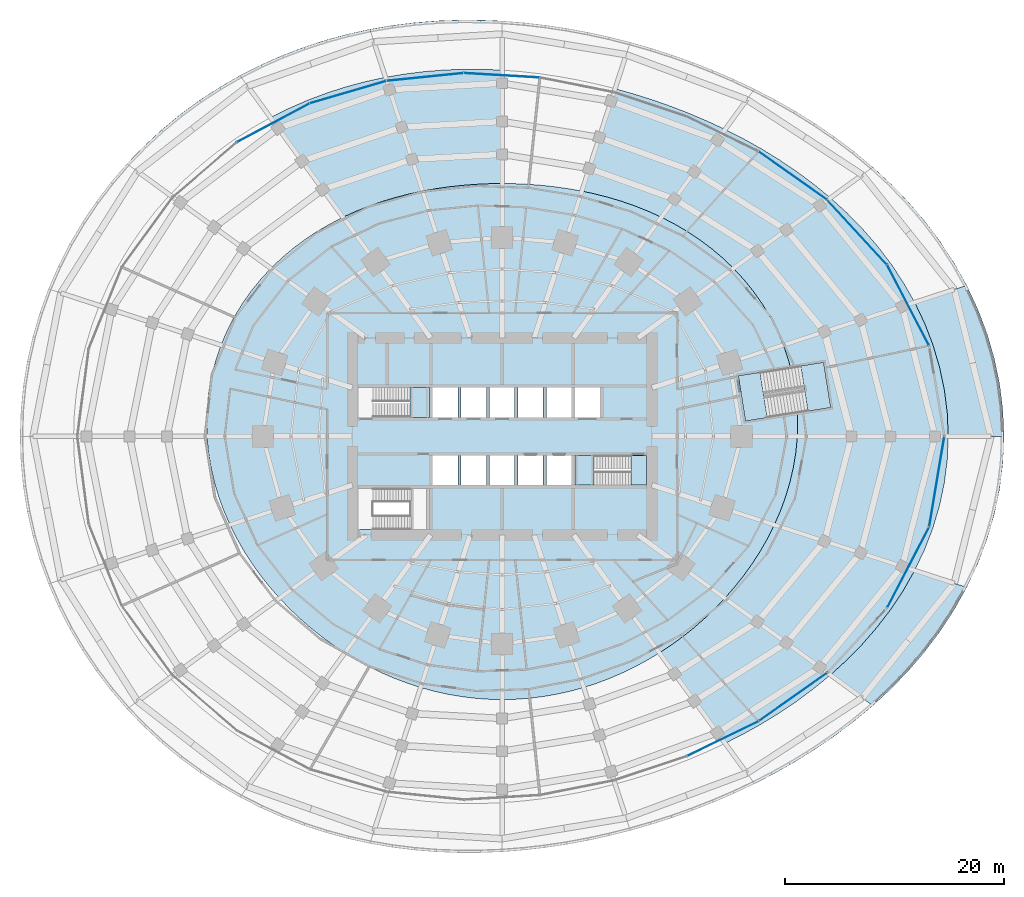
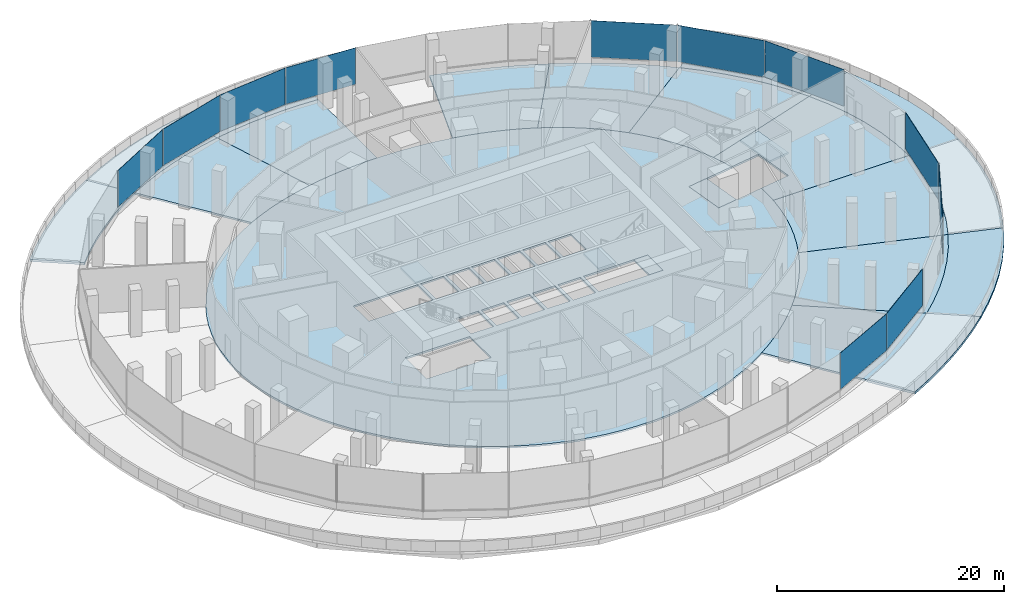
# One storey, part 20 of 31: 23 slabs, 11 plates, 8 elements without a shape of their own.
"""IFC4 building model written with IfcOpenShell, lengths in metres."""

from ifc_helpers import new_model, si_unit, direction, frame, origin, origin_2d, place, context, subcontext, project, spatial, polyline, rectangle, outline, extrude, material, layer, layer_set, type_object, element, aggregate, save


model = new_model("IFC4")

# Units and contexts
model_context = context("Model", 3, precision=1e-05, world=origin(), true_north=direction((0.0, 1.0)))
body_context = subcontext(model_context, "Body", "Model", "MODEL_VIEW")
ifc_project = project(units=[si_unit("LENGTHUNIT", "METRE"), si_unit("AREAUNIT", "SQUARE_METRE"), si_unit("VOLUMEUNIT", "CUBIC_METRE"), si_unit("PLANEANGLEUNIT", "RADIAN"), si_unit("MASSUNIT", "GRAM", prefix="KILO")], contexts=[model_context])

# Site, building, storey
site_placement = place(None, origin())
site = spatial("IfcSite", under=ifc_project, at=site_placement, CompositionType="ELEMENT")
building_placement = place(site_placement, origin())
building = spatial("IfcBuilding", under=site, at=building_placement, Name="Marramba Exchange Tower", CompositionType="ELEMENT")
storey_placement = place(building_placement, frame((0.0, 0.0, 5.60009765625)))
storey = spatial("IfcBuildingStorey", under=building, at=storey_placement, Name="L01", CompositionType="ELEMENT", Elevation=5.60009765625)

# Slabs
ifc_material_1 = material(Name="Concrete N40", Category="concrete")
ifc_layer_1 = layer(ifc_material_1, 0.199951171875)
ifc_layer_set_1 = layer_set([ifc_layer_1], Name="Floor slab 200")
slab_type_1 = type_object("IfcSlabType", Name="Floor slab 200", PredefinedType="FLOOR", material=ifc_layer_set_1)
slab_1_placement = place(storey_placement, frame((0.0, 0.0, -0.2001953125)))
element("IfcSlab", 1, at=slab_1_placement, inside=storey, type_object=slab_type_1, Name="Floor slab L01", PredefinedType="FLOOR", context=body_context, shape_type="SweptSolid", body=[
    extrude(outline(polyline([(27.003173828125, 2.150634765625), (27.035888671875, 1.4169921875), (27.0, 0.0), (26.8671875, -1.407958984375), (26.64111328125, -2.800048828125), (26.326171875, -4.169677734375), (25.927001953125, -5.510986328125), (25.44921875, -6.819091796875), (24.8984375, -8.090087890625), (24.280517578125, -9.320556640625), (23.60107421875, -10.5078125), (22.865234375, -11.650390625), (22.078369140625, -12.7470703125), (21.244873046875, -13.796630859375), (20.36865234375, -14.798583984375), (19.453369140625, -15.753173828125), (18.502197265625, -16.659423828125), (17.517578125, -17.517578125), (16.501953125, -18.327392578125), (15.457275390625, -19.088134765625), (14.385009765625, -19.799072265625), (13.286865234375, -20.459716796875), (12.164306640625, -21.069091796875), (11.01904296875, -21.6259765625), (9.8525390625, -22.129150390625), (8.66650390625, -22.577392578125), (7.463134765625, -22.968994140625), (6.244140625, -23.30322265625), (5.01171875, -23.578369140625), (3.7685546875, -23.793701171875), (2.51708984375, -23.947998046875), (1.260009765625, -24.041015625), (0.0, -24.072021484375), (-1.260009765625, -24.041015625), (-2.51708984375, -23.947998046875), (-3.7685546875, -23.793701171875), (-5.01171875, -23.578369140625), (-6.244140625, -23.30322265625), (-7.463134765625, -22.968994140625), (-8.66650390625, -22.577392578125), (-9.8525390625, -22.129150390625), (-11.01904296875, -21.6259765625), (-12.164306640625, -21.069091796875), (-13.286865234375, -20.459716796875), (-14.385009765625, -19.799072265625), (-15.457275390625, -19.088134765625), (-16.501953125, -18.327392578125), (-17.517578125, -17.517578125), (-18.502197265625, -16.659423828125), (-19.453369140625, -15.753173828125), (-20.36865234375, -14.798583984375), (-21.244873046875, -13.796630859375), (-22.078369140625, -12.7470703125), (-22.865234375, -11.650390625), (-23.60107421875, -10.5078125), (-24.280517578125, -9.320556640625), (-24.8984375, -8.090087890625), (-25.44921875, -6.819091796875), (-25.927001953125, -5.510986328125), (-26.326171875, -4.169677734375), (-26.64111328125, -2.800048828125), (-26.8671875, -1.407958984375), (-27.0, 0.0), (-27.035888671875, 1.4169921875), (-26.97265625, 2.8349609375), (-26.80859375, 4.24609375), (-26.5439453125, 5.64208984375), (-26.179443359375, 7.0146484375), (-25.717529296875, 8.356201171875), (-25.16162109375, 9.65869140625), (-24.516357421875, 10.915283203125), (-23.786865234375, 12.1201171875), (-22.9794921875, 13.267333984375), (-22.10107421875, 14.3525390625), (-21.158447265625, 15.37255859375), (-20.159423828125, 16.32470703125), (-19.11083984375, 17.20751953125), (-18.020263671875, 18.020263671875), (-16.89453125, 18.763427734375), (-15.740478515625, 19.437744140625), (-14.563720703125, 20.04541015625), (-13.3701171875, 20.588134765625), (-12.164306640625, 21.069091796875), (-10.9501953125, 21.4912109375), (-9.7314453125, 21.857421875), (-8.5107421875, 22.1708984375), (-7.289794921875, 22.435302734375), (-6.06982421875, 22.6533203125), (-4.85205078125, 22.827392578125), (-3.636474609375, 22.96044921875), (-2.423095703125, 23.053955078125), (-1.211181640625, 23.109619140625), (0.0, 23.1279296875), (1.211181640625, 23.109619140625), (2.423095703125, 23.053955078125), (3.636474609375, 22.96044921875), (4.85205078125, 22.827392578125), (6.06982421875, 22.6533203125), (7.289794921875, 22.435302734375), (8.5107421875, 22.1708984375), (9.7314453125, 21.857421875), (10.9501953125, 21.4912109375), (12.164306640625, 21.069091796875), (13.3701171875, 20.588134765625), (14.563720703125, 20.04541015625), (15.740478515625, 19.437744140625), (16.89453125, 18.763427734375), (18.020263671875, 18.020263671875), (19.11083984375, 17.20751953125), (20.159423828125, 16.32470703125), (21.158447265625, 15.37255859375), (22.10107421875, 14.3525390625), (22.9794921875, 13.267333984375), (23.786865234375, 12.1201171875), (24.516357421875, 10.915283203125), (25.16162109375, 9.65869140625), (25.717529296875, 8.356201171875), (26.179443359375, 7.0146484375), (26.368408203125, 6.302490234375), (21.59814453125, 5.546875), (22.255126953125, 1.398681640625), (27.003173828125, 2.150634765625)]), holes=[polyline([(-4.050048828125, 1.75), (-4.050048828125, 4.449951171875), (-6.35009765625, 4.449951171875), (-6.35009765625, 1.75), (-4.050048828125, 1.75)]), polyline([(-1.449951171875, 1.75), (-1.449951171875, 4.449951171875), (-3.75, 4.449951171875), (-3.75, 1.75), (-1.449951171875, 1.75)]), polyline([(1.14990234375, 1.75), (1.14990234375, 4.449951171875), (-1.14990234375, 4.449951171875), (-1.14990234375, 1.75), (1.14990234375, 1.75)]), polyline([(3.75, 1.75), (3.75, 4.449951171875), (1.449951171875, 4.449951171875), (1.449951171875, 1.75), (3.75, 1.75)]), polyline([(6.35009765625, 1.75), (6.35009765625, 4.449951171875), (4.050048828125, 4.449951171875), (4.050048828125, 1.75), (6.35009765625, 1.75)]), polyline([(-4.050048828125, -4.449951171875), (-4.050048828125, -1.75), (-6.35009765625, -1.75), (-6.35009765625, -4.449951171875), (-4.050048828125, -4.449951171875)]), polyline([(-1.449951171875, -4.449951171875), (-1.449951171875, -1.75), (-3.75, -1.75), (-3.75, -4.449951171875), (-1.449951171875, -4.449951171875)]), polyline([(1.14990234375, -4.449951171875), (1.14990234375, -1.75), (-1.14990234375, -1.75), (-1.14990234375, -4.449951171875), (1.14990234375, -4.449951171875)]), polyline([(3.75, -4.449951171875), (3.75, -1.75), (1.449951171875, -1.75), (1.449951171875, -4.449951171875), (3.75, -4.449951171875)]), polyline([(6.35009765625, -4.449951171875), (6.35009765625, -1.75), (4.050048828125, -1.75), (4.050048828125, -4.449951171875), (6.35009765625, -4.449951171875)]), polyline([(8.949951171875, 1.75), (8.949951171875, 4.449951171875), (6.64990234375, 4.449951171875), (6.64990234375, 1.75), (8.949951171875, 1.75)]), polyline([(-6.64990234375, 1.75), (-6.64990234375, 4.449951171875), (-13.199951171875, 4.449951171875), (-13.199951171875, 1.75), (-6.64990234375, 1.75)]), polyline([(13.199951171875, -4.449951171875), (13.199951171875, -1.75), (6.64990234375, -1.75), (6.64990234375, -4.449951171875), (13.199951171875, -4.449951171875)]), polyline([(-6.64990234375, -8.5), (-6.64990234375, -4.75), (-13.199951171875, -4.75), (-13.199951171875, -8.5), (-6.64990234375, -8.5)])]), origin(), (0.0, 0.0, 1.0), 0.2001953125),
])
slab_2_placement = place(storey_placement, frame((0.0, 0.0, -0.2001953125)))
element("IfcSlab", 2, at=slab_2_placement, inside=storey, type_object=slab_type_1, Name="Floor slab L01 podium bay 01", PredefinedType="FLOOR", context=body_context, shape_type="SweptSolid", body=[
    extrude(outline(polyline([(38.636474609375, 10.3525390625), (39.398193359375, 8.374267578125), (40.003662109375, 6.3359375), (40.443603515625, 4.250732421875), (40.71044921875, 2.133544921875), (40.800048828125, 0.0), (27.0, 0.0), (27.035888671875, 1.4169921875), (27.003173828125, 2.150634765625), (30.057861328125, 2.634521484375), (29.40087890625, 6.78271484375), (26.368408203125, 6.302490234375), (26.179443359375, 7.0146484375), (25.717529296875, 8.356201171875), (37.730224609375, 12.25927734375), (38.636474609375, 10.3525390625)])), origin(), (0.0, 0.0, 1.0), 0.2001953125),
])
slab_3_placement = place(storey_placement, frame((0.0, 0.0, -0.2001953125)))
element("IfcSlab", 3, at=slab_3_placement, inside=storey, type_object=slab_type_1, Name="Floor slab L01 podium bay 02", PredefinedType="FLOOR", context=body_context, shape_type="SweptSolid", body=[
    extrude(outline(polyline([(31.511474609375, 20.463623046875), (32.932861328125, 19.013671875), (34.279541015625, 17.46630859375), (35.53759765625, 15.822265625), (36.692626953125, 14.0849609375), (37.730224609375, 12.25927734375), (25.717529296875, 8.356201171875), (25.16162109375, 9.65869140625), (24.516357421875, 10.915283203125), (23.786865234375, 12.1201171875), (22.9794921875, 13.267333984375), (22.10107421875, 14.3525390625), (21.158447265625, 15.37255859375), (30.028076171875, 21.816650390625), (31.511474609375, 20.463623046875)])), origin(), (0.0, 0.0, 1.0), 0.2001953125),
])
slab_4_placement = place(storey_placement, frame((0.0, 0.0, -0.2001953125)))
element("IfcSlab", 4, at=slab_4_placement, inside=storey, type_object=slab_type_1, Name="Floor slab L01 podium bay 03", PredefinedType="FLOOR", context=body_context, shape_type="SweptSolid", body=[
    extrude(outline(polyline([(22.051513671875, 27.231201171875), (23.69384765625, 26.314697265625), (25.319580078125, 25.319580078125), (26.92236328125, 24.240966796875), (28.494873046875, 23.07470703125), (30.028076171875, 21.816650390625), (21.158447265625, 15.37255859375), (20.159423828125, 16.32470703125), (19.11083984375, 17.20751953125), (18.020263671875, 18.020263671875), (16.89453125, 18.763427734375), (15.740478515625, 19.437744140625), (14.563720703125, 20.04541015625), (20.39697265625, 28.073974609375), (22.051513671875, 27.231201171875)])), origin(), (0.0, 0.0, 1.0), 0.2001953125),
])
slab_5_placement = place(storey_placement, frame((0.0, 0.0, -0.2001953125)))
element("IfcSlab", 5, at=slab_5_placement, inside=storey, type_object=slab_type_1, Name="Floor slab L01 podium bay 04", PredefinedType="FLOOR", context=body_context, shape_type="SweptSolid", body=[
    extrude(outline(polyline([(12.024169921875, 31.323974609375), (13.70947265625, 30.791748046875), (15.389404296875, 30.203125), (17.064208984375, 29.55615234375), (18.73388671875, 28.84765625), (20.39697265625, 28.073974609375), (14.563720703125, 20.04541015625), (13.3701171875, 20.588134765625), (12.164306640625, 21.069091796875), (10.9501953125, 21.4912109375), (9.7314453125, 21.857421875), (8.5107421875, 22.1708984375), (7.289794921875, 22.435302734375), (10.3330078125, 31.801513671875), (12.024169921875, 31.323974609375)])), origin(), (0.0, 0.0, 1.0), 0.2001953125),
])
slab_6_placement = place(storey_placement, frame((0.0, 0.0, -0.2001953125)))
element("IfcSlab", 6, at=slab_6_placement, inside=storey, type_object=slab_type_1, Name="Floor slab L01 podium bay 06", PredefinedType="FLOOR", context=body_context, shape_type="SweptSolid", body=[
    extrude(outline(polyline([(-8.88232421875, 33.1494140625), (-7.0927734375, 33.369140625), (-5.3076171875, 33.5107421875), (-3.529052734375, 33.5771484375), (-1.759521484375, 33.572509765625), (0.0, 33.5), (0.0, 23.1279296875), (-1.211181640625, 23.109619140625), (-2.423095703125, 23.053955078125), (-3.636474609375, 22.96044921875), (-4.85205078125, 22.827392578125), (-6.06982421875, 22.6533203125), (-7.289794921875, 22.435302734375), (-10.6728515625, 32.84765625), (-8.88232421875, 33.1494140625)])), origin(), (0.0, 0.0, 1.0), 0.2001953125),
])
slab_7_placement = place(storey_placement, frame((0.0, 0.0, -0.2001953125)))
element("IfcSlab", 7, at=slab_7_placement, inside=storey, type_object=slab_type_1, Name="Floor slab L01 podium bay 07", PredefinedType="FLOOR", context=body_context, shape_type="SweptSolid", body=[
    extrude(outline(polyline([(-19.489013671875, 30.01025390625), (-17.7607421875, 30.762451171875), (-16.009521484375, 31.420654296875), (-14.240966796875, 31.98583984375), (-12.46044921875, 32.460693359375), (-10.6728515625, 32.84765625), (-7.289794921875, 22.435302734375), (-8.5107421875, 22.1708984375), (-9.7314453125, 21.857421875), (-10.9501953125, 21.4912109375), (-12.164306640625, 21.069091796875), (-13.3701171875, 20.588134765625), (-14.563720703125, 20.04541015625), (-21.18798828125, 29.162841796875), (-19.489013671875, 30.01025390625)])), origin(), (0.0, 0.0, 1.0), 0.2001953125),
])
slab_8_placement = place(storey_placement, frame((0.0, 0.0, -0.2001953125)))
element("IfcSlab", 8, at=slab_8_placement, inside=storey, type_object=slab_type_1, Name="Floor slab L01 podium bay 18", PredefinedType="FLOOR", context=body_context, shape_type="SweptSolid", body=[
    extrude(outline(polyline([(30.028076171875, -21.816650390625), (28.494873046875, -23.07470703125), (26.92236328125, -24.240966796875), (25.319580078125, -25.319580078125), (23.69384765625, -26.314697265625), (22.051513671875, -27.231201171875), (20.39697265625, -28.073974609375), (14.385009765625, -19.799072265625), (15.457275390625, -19.088134765625), (16.501953125, -18.327392578125), (17.517578125, -17.517578125), (18.502197265625, -16.659423828125), (19.453369140625, -15.753173828125), (20.36865234375, -14.798583984375), (30.028076171875, -21.816650390625)])), origin(), (0.0, 0.0, 1.0), 0.2001953125),
])
slab_9_placement = place(storey_placement, frame((0.0, 0.0, -0.2001953125)))
element("IfcSlab", 9, at=slab_9_placement, inside=storey, type_object=slab_type_1, Name="Floor slab L01 podium bay 19", PredefinedType="FLOOR", context=body_context, shape_type="SweptSolid", body=[
    extrude(outline(polyline([(37.730224609375, -12.25927734375), (36.692626953125, -14.0849609375), (35.53759765625, -15.822265625), (34.279541015625, -17.46630859375), (32.932861328125, -19.013671875), (31.511474609375, -20.463623046875), (30.028076171875, -21.816650390625), (20.36865234375, -14.798583984375), (21.244873046875, -13.796630859375), (22.078369140625, -12.7470703125), (22.865234375, -11.650390625), (23.60107421875, -10.5078125), (24.280517578125, -9.320556640625), (24.8984375, -8.090087890625), (37.730224609375, -12.25927734375)])), origin(), (0.0, 0.0, 1.0), 0.2001953125),
])
slab_10_placement = place(storey_placement, frame((0.0, 0.0, -0.2001953125)))
element("IfcSlab", 10, at=slab_10_placement, inside=storey, type_object=slab_type_1, Name="Floor slab L01 podium bay 20", PredefinedType="FLOOR", context=body_context, shape_type="SweptSolid", body=[
    extrude(outline(polyline([(40.443603515625, -4.250732421875), (40.003662109375, -6.3359375), (39.398193359375, -8.374267578125), (38.636474609375, -10.3525390625), (37.730224609375, -12.25927734375), (24.8984375, -8.090087890625), (25.44921875, -6.819091796875), (25.927001953125, -5.510986328125), (26.326171875, -4.169677734375), (26.64111328125, -2.800048828125), (26.8671875, -1.407958984375), (27.0, 0.0), (40.800048828125, 0.0), (40.71044921875, -2.133544921875), (40.443603515625, -4.250732421875)])), origin(), (0.0, 0.0, 1.0), 0.2001953125),
])
ifc_layer_2 = layer(ifc_material_1, 0.25)
ifc_layer_set_2 = layer_set([ifc_layer_2], Name="Planted roof slab 250")
slab_type_2 = type_object("IfcSlabType", Name="Planted roof slab 250", PredefinedType="ROOF", material=ifc_layer_set_2)
slab_11_placement = place(storey_placement, frame((0.0, 0.0, -0.25)))
element("IfcSlab", 11, at=slab_11_placement, inside=storey, type_object=slab_type_2, Name="Planted roof slab L01 bay 02", PredefinedType="ROOF", context=body_context, shape_type="SweptSolid", body=[
    extrude(outline(polyline([(33.901123046875, 24.630615234375), (35.559814453125, 23.0927734375), (37.147705078125, 21.447265625), (38.650146484375, 19.693115234375), (40.052001953125, 17.832275390625), (41.337890625, 15.8681640625), (42.491943359375, 13.806396484375), (37.730224609375, 12.25927734375), (36.692626953125, 14.0849609375), (35.53759765625, 15.822265625), (34.279541015625, 17.46630859375), (32.932861328125, 19.013671875), (31.511474609375, 20.463623046875), (30.028076171875, 21.816650390625), (33.901123046875, 24.630615234375)])), origin(), (0.0, 0.0, 1.0), 0.25),
])
slab_12_placement = place(storey_placement, frame((0.0, 0.0, -0.25)))
element("IfcSlab", 12, at=slab_12_placement, inside=storey, type_object=slab_type_2, Name="Planted roof slab L01 bay 06", PredefinedType="ROOF", context=body_context, shape_type="SweptSolid", body=[
    extrude(outline(polyline([(-12.099609375, 37.238525390625), (-10.071533203125, 37.587158203125), (-8.04345703125, 37.842041015625), (-6.019775390625, 38.006591796875), (-4.0029296875, 38.085205078125), (-1.995849609375, 38.08154296875), (0.0, 38.0), (0.0, 33.5), (-1.759521484375, 33.572509765625), (-3.529052734375, 33.5771484375), (-5.3076171875, 33.5107421875), (-7.0927734375, 33.369140625), (-8.88232421875, 33.1494140625), (-10.6728515625, 32.84765625), (-12.099609375, 37.238525390625)])), origin(), (0.0, 0.0, 1.0), 0.25),
])
slab_13_placement = place(storey_placement, frame((0.0, 0.0, -0.25)))
element("IfcSlab", 13, at=slab_13_placement, inside=storey, type_object=slab_type_2, Name="Planted roof slab L01 bay 07", PredefinedType="ROOF", context=body_context, shape_type="SweptSolid", body=[
    extrude(outline(polyline([(-22.06494140625, 33.97705078125), (-20.11474609375, 34.83984375), (-18.136962890625, 35.595703125), (-16.1376953125, 36.24560546875), (-14.123291015625, 36.79248046875), (-12.099609375, 37.238525390625), (-10.6728515625, 32.84765625), (-12.46044921875, 32.460693359375), (-14.240966796875, 31.98583984375), (-16.009521484375, 31.420654296875), (-17.7607421875, 30.762451171875), (-19.489013671875, 30.01025390625), (-21.18798828125, 29.162841796875), (-23.980224609375, 33.005859375), (-22.06494140625, 33.97705078125)])), origin(), (0.0, 0.0, 1.0), 0.25),
])
slab_14_placement = place(storey_placement, frame((0.0, 0.0, -0.25)))
element("IfcSlab", 14, at=slab_14_placement, inside=storey, type_object=slab_type_2, Name="Planted roof slab L01 bay 08", PredefinedType="ROOF", context=body_context, shape_type="SweptSolid", body=[
    extrude(outline(polyline([(-34.32275390625, 24.93701171875), (-32.774169921875, 26.5400390625), (-31.145263671875, 28.04345703125), (-29.44384765625, 29.44384765625), (-27.67724609375, 30.738525390625), (-25.853515625, 31.92626953125), (-23.980224609375, 33.005859375), (-21.18798828125, 29.162841796875), (-22.8515625, 28.219482421875), (-24.47314453125, 27.18017578125), (-26.0458984375, 26.0458984375), (-27.56298828125, 24.81787109375), (-29.01708984375, 23.49755859375), (-30.401611328125, 22.088134765625), (-34.32275390625, 24.93701171875)])), origin(), (0.0, 0.0, 1.0), 0.25),
])
slab_15_placement = place(storey_placement, frame((0.0, 0.0, -0.25)))
element("IfcSlab", 15, at=slab_15_placement, inside=storey, type_object=slab_type_2, Name="Planted roof slab L01 bay 18", PredefinedType="ROOF", context=body_context, shape_type="SweptSolid", body=[
    extrude(outline(polyline([(32.1845703125, -26.0625), (30.421630859375, -27.391845703125), (28.62255859375, -28.62255859375), (26.7958984375, -29.759765625), (24.9482421875, -30.808349609375), (23.0849609375, -31.773681640625), (20.39697265625, -28.073974609375), (22.051513671875, -27.231201171875), (23.69384765625, -26.314697265625), (25.319580078125, -25.319580078125), (26.92236328125, -24.240966796875), (28.494873046875, -23.07470703125), (30.028076171875, -21.816650390625), (33.901123046875, -24.630615234375), (32.1845703125, -26.0625)])), origin(), (0.0, 0.0, 1.0), 0.25),
])
slab_16_placement = place(storey_placement, frame((0.0, 0.0, -0.25)))
element("IfcSlab", 16, at=slab_16_placement, inside=storey, type_object=slab_type_2, Name="Planted roof slab L01 bay 20", PredefinedType="ROOF", context=body_context, shape_type="SweptSolid", body=[
    extrude(outline(polyline([(45.80078125, -2.400390625), (45.5048828125, -4.78271484375), (45.016845703125, -7.1298828125), (44.344970703125, -9.42578125), (43.4990234375, -11.655517578125), (42.491943359375, -13.806396484375), (37.730224609375, -12.25927734375), (38.636474609375, -10.3525390625), (39.398193359375, -8.374267578125), (40.003662109375, -6.3359375), (40.443603515625, -4.250732421875), (40.71044921875, -2.133544921875), (40.800048828125, 0.0), (45.89990234375, 0.0), (45.80078125, -2.400390625)])), origin(), (0.0, 0.0, 1.0), 0.25),
])

# Curtain wall, plates
ifc_material_2 = material(Name="Aluminium framing, bronze anodised", Category="aluminium")
curtain_wall_type = type_object("IfcCurtainWallType", Name="Podium ribbon curtain wall", PredefinedType="USERDEFINED", material=ifc_material_2)
curtain_wall_1_placement = place(storey_placement, origin())
curtain_wall_1 = element("IfcCurtainWall", 17, at=curtain_wall_1_placement, inside=storey, type_object=curtain_wall_type, Name="Curtain wall CW2 L01 F02-F05", ObjectType="RIBBON CURTAIN WALL", PredefinedType="USERDEFINED")
ifc_material_3 = material(Name="Double glazed unit 8 + 12 + 8.76, bronze tinted", Category="glass")
ifc_layer_3 = layer(ifc_material_3, 0.02880859375)
ifc_layer_set_3 = layer_set([ifc_layer_3], Name="Podium ribbon curtain wall panel")
plate_type = type_object("IfcPlateType", Name="Podium ribbon curtain wall panel", PredefinedType="CURTAIN_PANEL", material=ifc_layer_set_3)
plate_1_placement = place(storey_placement, frame((37.123046875, 12.017333984375, 0.85986328125), z_axis=(0.0, 0.0, 1.0), x_axis=(-0.46146447082, 0.887158690523, 0.0)))
plate_1 = element("IfcPlate", 18, at=plate_1_placement, type_object=plate_type, Name="CW2 vision panel", PredefinedType="CURTAIN_PANEL", context=body_context, shape_type="SweptSolid", body=[
    extrude(rectangle(XDim=8.2568359375, YDim=0.02880859375, at=origin_2d()), origin(), (0.0, 0.0, 1.0), 3.93994140625),
])
plate_2_placement = place(storey_placement, frame((32.461181640625, 18.66748046875, 0.85986328125), z_axis=(0.0, 0.0, 1.0), x_axis=(-0.678147152175, 0.734926145947, 0.0)))
plate_2 = element("IfcPlate", 19, at=plate_2_placement, type_object=plate_type, Name="CW2 vision panel", PredefinedType="CURTAIN_PANEL", context=body_context, shape_type="SweptSolid", body=[
    extrude(rectangle(XDim=8.01025390625, YDim=0.02880859375, at=origin_2d()), origin(), (0.0, 0.0, 1.0), 3.93994140625),
])
plate_3_placement = place(storey_placement, frame((26.577880859375, 23.85009765625, 0.85986328125), z_axis=(0.0, 0.0, 1.0), x_axis=(-0.816552736261, 0.577270845362, 0.0)))
plate_3 = element("IfcPlate", 20, at=plate_3_placement, type_object=plate_type, Name="CW2 vision panel", PredefinedType="CURTAIN_PANEL", context=body_context, shape_type="SweptSolid", body=[
    extrude(rectangle(XDim=7.637451171875, YDim=0.02880859375, at=origin_2d()), origin(), (0.0, 0.0, 1.0), 3.93994140625),
])
aggregate(curtain_wall_1, [plate_1, plate_2, plate_3])

curtain_wall_2_placement = place(storey_placement, origin())
curtain_wall_2 = element("IfcCurtainWall", 21, at=curtain_wall_2_placement, inside=storey, type_object=curtain_wall_type, Name="Curtain wall CW2 L01 F06-F10", ObjectType="RIBBON CURTAIN WALL", PredefinedType="USERDEFINED")
plate_4_placement = place(storey_placement, frame((-0.051513671875, 33.024658203125, 0.85986328125), z_axis=(0.0, 0.0, 1.0), x_axis=(-0.998239184054, 0.059317210151, 0.0)))
plate_4 = element("IfcPlate", 22, at=plate_4_placement, type_object=plate_type, Name="CW2 vision panel", PredefinedType="CURTAIN_PANEL", context=body_context, shape_type="SweptSolid", body=[
    extrude(rectangle(XDim=6.89404296875, YDim=0.02880859375, at=origin_2d()), origin(), (0.0, 0.0, 1.0), 3.93994140625),
])
plate_5_placement = place(storey_placement, frame((-7.058349609375, 32.868896484375, 0.85986328125), z_axis=(0.0, 0.0, 1.0), x_axis=(-0.994936465756, -0.100505866042, 0.0)))
plate_5 = element("IfcPlate", 23, at=plate_5_placement, type_object=plate_type, Name="CW2 vision panel", PredefinedType="CURTAIN_PANEL", context=body_context, shape_type="SweptSolid", body=[
    extrude(rectangle(XDim=7.048095703125, YDim=0.02880859375, at=origin_2d()), origin(), (0.0, 0.0, 1.0), 3.93994140625),
])
plate_6_placement = place(storey_placement, frame((-14.10400390625, 31.478759765625, 0.85986328125), z_axis=(0.0, 0.0, 1.0), x_axis=(-0.959725288556, -0.280940154671, 0.0)))
plate_6 = element("IfcPlate", 24, at=plate_6_placement, type_object=plate_type, Name="CW2 vision panel", PredefinedType="CURTAIN_PANEL", context=body_context, shape_type="SweptSolid", body=[
    extrude(rectangle(XDim=7.255615234375, YDim=0.02880859375, at=origin_2d()), origin(), (0.0, 0.0, 1.0), 3.93994140625),
])
aggregate(curtain_wall_2, [plate_4, plate_5, plate_6])

# Curtain wall, plate
curtain_wall_3_placement = place(storey_placement, origin())
curtain_wall_3 = element("IfcCurtainWall", 25, at=curtain_wall_3_placement, inside=storey, type_object=curtain_wall_type, Name="Curtain wall CW2 L01 F11-F15", ObjectType="RIBBON CURTAIN WALL", PredefinedType="USERDEFINED")
plate_7_placement = place(storey_placement, frame((-20.93896484375, 28.67578125, 0.85986328125), z_axis=(0.0, 0.0, 1.0), x_axis=(-0.8828506473, -0.469653845466, 0.0)))
plate_7 = element("IfcPlate", 26, at=plate_7_placement, type_object=plate_type, Name="CW2 vision panel", PredefinedType="CURTAIN_PANEL", context=body_context, shape_type="SweptSolid", body=[
    extrude(rectangle(XDim=7.47607421875, YDim=0.02880859375, at=origin_2d()), origin(), (0.0, 0.0, 1.0), 3.93994140625),
])
aggregate(curtain_wall_3, [plate_7])

# Curtain wall, plates
curtain_wall_4_placement = place(storey_placement, origin())
curtain_wall_4 = element("IfcCurtainWall", 27, at=curtain_wall_4_placement, inside=storey, type_object=curtain_wall_type, Name="Curtain wall CW2 L01 F26-F27", ObjectType="RIBBON CURTAIN WALL", PredefinedType="USERDEFINED")
plate_8_placement = place(storey_placement, frame((20.201416015625, -27.640625, 0.85986328125), z_axis=(0.0, 0.0, 1.0), x_axis=(0.899119910794, 0.437702394342, 0.0)))
plate_8 = element("IfcPlate", 28, at=plate_8_placement, type_object=plate_type, Name="CW2 vision panel", PredefinedType="CURTAIN_PANEL", context=body_context, shape_type="SweptSolid", body=[
    extrude(rectangle(XDim=7.24755859375, YDim=0.02880859375, at=origin_2d()), origin(), (0.0, 0.0, 1.0), 3.93994140625),
])
plate_9_placement = place(storey_placement, frame((26.602294921875, -23.832763671875, 0.85986328125), z_axis=(0.0, 0.0, 1.0), x_axis=(0.816552736261, 0.577270845362, 0.0)))
plate_9 = element("IfcPlate", 29, at=plate_9_placement, type_object=plate_type, Name="CW2 vision panel", PredefinedType="CURTAIN_PANEL", context=body_context, shape_type="SweptSolid", body=[
    extrude(rectangle(XDim=7.577392578125, YDim=0.02880859375, at=origin_2d()), origin(), (0.0, 0.0, 1.0), 3.93994140625),
])
aggregate(curtain_wall_4, [plate_8, plate_9])

curtain_wall_5_placement = place(storey_placement, origin())
curtain_wall_5 = element("IfcCurtainWall", 30, at=curtain_wall_5_placement, inside=storey, type_object=curtain_wall_type, Name="Curtain wall CW2 L01 F29-F30", ObjectType="RIBBON CURTAIN WALL", PredefinedType="USERDEFINED")
plate_10_placement = place(storey_placement, frame((37.150634765625, -11.964111328125, 0.85986328125), z_axis=(0.0, 0.0, 1.0), x_axis=(0.46146447082, 0.887158690523, 0.0)))
plate_10 = element("IfcPlate", 31, at=plate_10_placement, type_object=plate_type, Name="CW2 vision panel", PredefinedType="CURTAIN_PANEL", context=body_context, shape_type="SweptSolid", body=[
    extrude(rectangle(XDim=8.2568359375, YDim=0.02880859375, at=origin_2d()), origin(), (0.0, 0.0, 1.0), 3.93994140625),
])
plate_11_placement = place(storey_placement, frame((39.7529296875, -4.15087890625, 0.85986328125), z_axis=(0.0, 0.0, 1.0), x_axis=(0.165628297068, 0.986188251406, 0.0)))
plate_11 = element("IfcPlate", 32, at=plate_11_placement, type_object=plate_type, Name="CW2 vision panel", PredefinedType="CURTAIN_PANEL", context=body_context, shape_type="SweptSolid", body=[
    extrude(rectangle(XDim=8.2978515625, YDim=0.02880859375, at=origin_2d()), origin(), (0.0, 0.0, 1.0), 3.93994140625),
])
aggregate(curtain_wall_5, [plate_10, plate_11])

# Stair, slab
ifc_material_4 = material(Name="Concrete N40 (40 MPa)", Category="concrete")
stair_type_1 = type_object("IfcStairType", Name="Exit stair ST1 5000 x 1250", PredefinedType="HALF_TURN_STAIR", material=ifc_material_4)
stair_1_placement = place(storey_placement, origin())
stair_1 = element("IfcStair", 33, at=stair_1_placement, inside=storey, type_object=stair_type_1, Name="Exit stair ST1 L01", PredefinedType="HALF_TURN_STAIR")
ifc_layer_4 = layer(ifc_material_4, 0.199951171875)
ifc_layer_set_4 = layer_set([ifc_layer_4], Name="Stair landing 200")
slab_type_3 = type_object("IfcSlabType", Name="Stair landing 200", PredefinedType="LANDING", material=ifc_layer_set_4)
slab_17_placement = place(storey_placement, frame((0.0, 0.0, 2.2998046875)))
slab_17 = element("IfcSlab", 34, at=slab_17_placement, type_object=slab_type_3, Name="ST1 landing 2", PredefinedType="LANDING", context=body_context, shape_type="SweptSolid", body=[
    extrude(outline(polyline([(-8.419921875, 1.75), (-6.64990234375, 1.75), (-6.64990234375, 4.449951171875), (-8.419921875, 4.449951171875), (-8.419921875, 1.75)])), origin(), (0.0, 0.0, 1.0), 0.2001953125),
])
aggregate(stair_1, [slab_17])

# Stair, slabs
stair_type_2 = type_object("IfcStairType", Name="Exit stair ST2 5000 x 1250", PredefinedType="HALF_TURN_STAIR", material=ifc_material_4)
stair_2_placement = place(storey_placement, origin())
stair_2 = element("IfcStair", 35, at=stair_2_placement, inside=storey, type_object=stair_type_2, Name="Exit stair ST2 L01", PredefinedType="HALF_TURN_STAIR")
slab_18_placement = place(storey_placement, frame((0.0, 0.0, -0.2001953125)))
slab_18 = element("IfcSlab", 36, at=slab_18_placement, type_object=slab_type_3, Name="ST2 landing 1", PredefinedType="LANDING", context=body_context, shape_type="SweptSolid", body=[
    extrude(outline(polyline([(11.800048828125, -4.449951171875), (13.199951171875, -4.449951171875), (13.199951171875, -1.75), (11.800048828125, -1.75), (11.800048828125, -4.449951171875)])), origin(), (0.0, 0.0, 1.0), 0.2001953125),
])
slab_19_placement = place(storey_placement, frame((0.0, 0.0, 2.2998046875)))
slab_19 = element("IfcSlab", 37, at=slab_19_placement, type_object=slab_type_3, Name="ST2 landing 2", PredefinedType="LANDING", context=body_context, shape_type="SweptSolid", body=[
    extrude(outline(polyline([(6.64990234375, -4.449951171875), (8.419921875, -4.449951171875), (8.419921875, -1.75), (6.64990234375, -1.75), (6.64990234375, -4.449951171875)])), origin(), (0.0, 0.0, 1.0), 0.2001953125),
])
aggregate(stair_2, [slab_18, slab_19])

stair_type_3 = type_object("IfcStairType", Name="Exit stair ST4 5000 x 2000", PredefinedType="HALF_TURN_STAIR", material=ifc_material_4)
stair_3_placement = place(storey_placement, origin())
stair_3 = element("IfcStair", 38, at=stair_3_placement, inside=storey, type_object=stair_type_3, Name="Exit stair ST4 L01", PredefinedType="HALF_TURN_STAIR")
slab_20_placement = place(storey_placement, frame((0.0, 0.0, -0.2001953125)))
slab_20 = element("IfcSlab", 39, at=slab_20_placement, type_object=slab_type_3, Name="ST4 landing 1", PredefinedType="LANDING", context=body_context, shape_type="SweptSolid", body=[
    extrude(outline(polyline([(22.255126953125, 1.398681640625), (24.240478515625, 1.713134765625), (23.58349609375, 5.861328125), (21.59814453125, 5.546875), (22.255126953125, 1.398681640625)])), origin(), (0.0, 0.0, 1.0), 0.2001953125),
])
slab_21_placement = place(storey_placement, frame((0.0, 0.0, 2.2998046875)))
slab_21 = element("IfcSlab", 40, at=slab_21_placement, type_object=slab_type_3, Name="ST4 landing 2", PredefinedType="LANDING", context=body_context, shape_type="SweptSolid", body=[
    extrude(outline(polyline([(27.969970703125, 2.3037109375), (30.057861328125, 2.634521484375), (29.40087890625, 6.78271484375), (27.31298828125, 6.4521484375), (27.969970703125, 2.3037109375)])), origin(), (0.0, 0.0, 1.0), 0.2001953125),
])
aggregate(stair_3, [slab_20, slab_21])

# Slabs
ifc_layer_5 = layer(ifc_material_1, 0.25)
ifc_layer_set_5 = layer_set([ifc_layer_5], Name="Terrace slab 250")
slab_type_4 = type_object("IfcSlabType", Name="Terrace slab 250", PredefinedType="FLOOR", material=ifc_layer_set_5)
slab_22_placement = place(storey_placement, frame((0.0, 0.0, -0.25)))
element("IfcSlab", 41, at=slab_22_placement, inside=storey, type_object=slab_type_4, Name="Terrace slab L01 bay 01", PredefinedType="FLOOR", context=body_context, shape_type="SweptSolid", body=[
    extrude(outline(polyline([(43.4990234375, 11.655517578125), (44.344970703125, 9.42578125), (45.016845703125, 7.1298828125), (45.5048828125, 4.78271484375), (45.80078125, 2.400390625), (45.89990234375, 0.0), (40.800048828125, 0.0), (40.71044921875, 2.133544921875), (40.443603515625, 4.250732421875), (40.003662109375, 6.3359375), (39.398193359375, 8.374267578125), (38.636474609375, 10.3525390625), (37.730224609375, 12.25927734375), (42.491943359375, 13.806396484375), (43.4990234375, 11.655517578125)])), origin(), (0.0, 0.0, 1.0), 0.25),
])
slab_23_placement = place(storey_placement, frame((0.0, 0.0, -0.25)))
element("IfcSlab", 42, at=slab_23_placement, inside=storey, type_object=slab_type_4, Name="Terrace slab L01 bay 19", PredefinedType="FLOOR", context=body_context, shape_type="SweptSolid", body=[
    extrude(outline(polyline([(42.491943359375, -13.806396484375), (41.337890625, -15.8681640625), (40.052001953125, -17.832275390625), (38.650146484375, -19.693115234375), (37.147705078125, -21.447265625), (35.559814453125, -23.0927734375), (33.901123046875, -24.630615234375), (30.028076171875, -21.816650390625), (31.511474609375, -20.463623046875), (32.932861328125, -19.013671875), (34.279541015625, -17.46630859375), (35.53759765625, -15.822265625), (36.692626953125, -14.0849609375), (37.730224609375, -12.25927734375), (42.491943359375, -13.806396484375)])), origin(), (0.0, 0.0, 1.0), 0.25),
])

save(model, "model.ifc")
